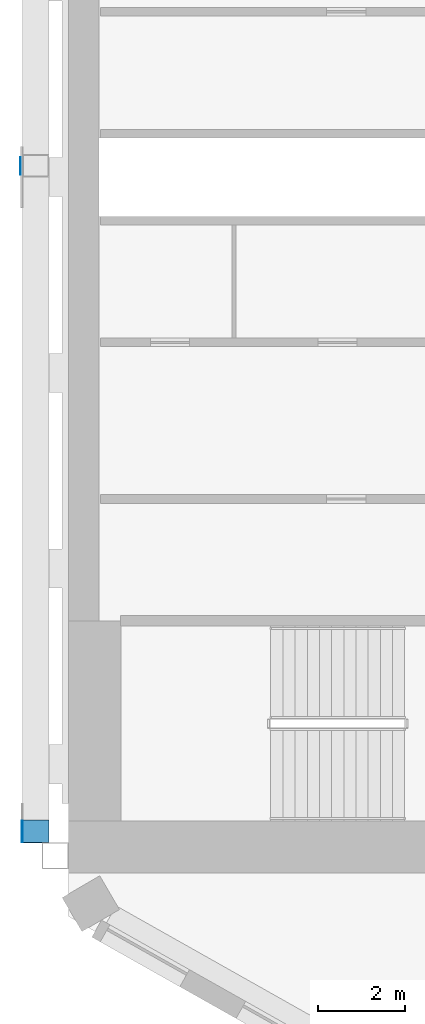
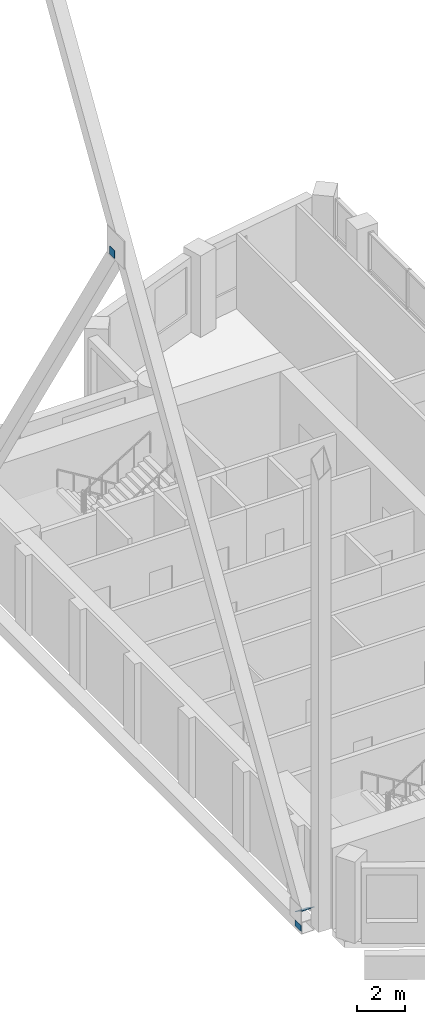
# One storey, part 10 of 18: 3 discrete accessories.
"""IFC4 building model written with IfcOpenShell, lengths in metres."""

from ifc_helpers import new_model, si_unit, direction, frame, origin, origin_2d, place, context, subcontext, project, spatial, rectangle, extrude, material, material_profile, profile_set, type_object, element, save


model = new_model("IFC4")

# Units and contexts
model_context = context("Model", 3, precision=1e-05, world=origin(), true_north=direction((0.0, 1.0)))
body_context = subcontext(model_context, "Body", "Model", "MODEL_VIEW")
ifc_project = project(units=[si_unit("LENGTHUNIT", "METRE"), si_unit("AREAUNIT", "SQUARE_METRE"), si_unit("VOLUMEUNIT", "CUBIC_METRE"), si_unit("PLANEANGLEUNIT", "RADIAN"), si_unit("MASSUNIT", "GRAM", prefix="KILO")], contexts=[model_context])

# Site, building, storey
site_placement = place(None, origin())
site = spatial("IfcSite", under=ifc_project, at=site_placement, CompositionType="ELEMENT")
building_placement = place(site_placement, origin())
building = spatial("IfcBuilding", under=site, at=building_placement, Name="Cypress Arch Tower", CompositionType="ELEMENT")
storey_placement = place(building_placement, frame((0.0, 0.0, 288.5)))
storey = spatial("IfcBuildingStorey", under=building, at=storey_placement, Name="L65", CompositionType="ELEMENT", Elevation=288.5)

# Discrete accessories
ifc_material_1 = material(Name="Steel ASTM A992", Category="steel")
ifc_material_profile_1 = material_profile(ifc_material_1, rectangle(XDim=0.609619140625, YDim=0.609619140625, at=origin_2d()), Name="PL 20 610x610")
ifc_profile_set_1 = profile_set([ifc_material_profile_1], Name="Steel ASTM A992")
discrete_accessory_type_1 = type_object("IfcDiscreteAccessoryType", Name="End cap plate 610x610x20 Steel ASTM A992", PredefinedType="ANCHORPLATE", material=ifc_profile_set_1)
discrete_accessory_1_placement = place(storey_placement, frame((-30.7548828125, -15.036376953125, 0.724365234375), z_axis=(0.0, -0.528892886439, -0.848688585215), x_axis=(1.0, 0.0, 0.0)))
element("IfcDiscreteAccessory", 1, at=discrete_accessory_1_placement, inside=storey, type_object=discrete_accessory_type_1, Name="End cap plate west bracing 6", PredefinedType="ANCHORPLATE", context=body_context, shape_type="SweptSolid", body=[
    extrude(rectangle(XDim=0.609619140625, YDim=0.609619140625, at=origin_2d()), origin(), (0.0, 0.0, 1.0), 0.019775390625),
])
ifc_material_2 = material(Name="Steel ASTM A992", Category="steel")
ifc_material_profile_2 = material_profile(ifc_material_2, rectangle(XDim=0.5, YDim=0.300048828125, at=origin_2d()), Name="PL 20 500x300")
ifc_profile_set_2 = profile_set([ifc_material_profile_2], Name="Steel ASTM A992")
discrete_accessory_type_2 = type_object("IfcDiscreteAccessoryType", Name="West bracing chord end plate 500x300x20 Steel ASTM A992", PredefinedType="ANCHORPLATE", material=ifc_profile_set_2)
discrete_accessory_2_placement = place(storey_placement, frame((-31.0595703125, -15.045166015625, 0.0), z_axis=(-1.0, 0.0, 0.0), x_axis=(0.0, -1.0, 0.0)))
element("IfcDiscreteAccessory", 2, at=discrete_accessory_2_placement, inside=storey, type_object=discrete_accessory_type_2, Name="End plate west bracing chord 6S", PredefinedType="ANCHORPLATE", context=body_context, shape_type="SweptSolid", body=[
    extrude(rectangle(XDim=0.5, YDim=0.300048828125, at=origin_2d()), origin(), (0.0, 0.0, 1.0), 0.02001953125),
])
ifc_material_3 = material(Name="Steel ASTM A992", Category="steel")
ifc_material_profile_3 = material_profile(ifc_material_3, rectangle(XDim=0.39990234375, YDim=0.39990234375, at=origin_2d()), Name="PL 20 400x400")
ifc_profile_set_3 = profile_set([ifc_material_profile_3], Name="Steel ASTM A992")
discrete_accessory_type_3 = type_object("IfcDiscreteAccessoryType", Name="West bracing diagonal end plate 400x400x20 Steel ASTM A992", PredefinedType="ANCHORPLATE", material=ifc_profile_set_3)
discrete_accessory_3_placement = place(storey_placement, frame((-31.099609375, 0.259033203125, 24.677490234375), z_axis=(-1.0, 0.0, 0.0), x_axis=(0.0, -1.0, 0.0)))
element("IfcDiscreteAccessory", 3, at=discrete_accessory_3_placement, inside=storey, type_object=discrete_accessory_type_3, Name="End plate west bracing diagonal 6C", PredefinedType="ANCHORPLATE", context=body_context, shape_type="SweptSolid", body=[
    extrude(rectangle(XDim=0.39990234375, YDim=0.39990234375, at=origin_2d()), origin(), (0.0, 0.0, 1.0), 0.02001953125),
])

save(model, "model.ifc")
